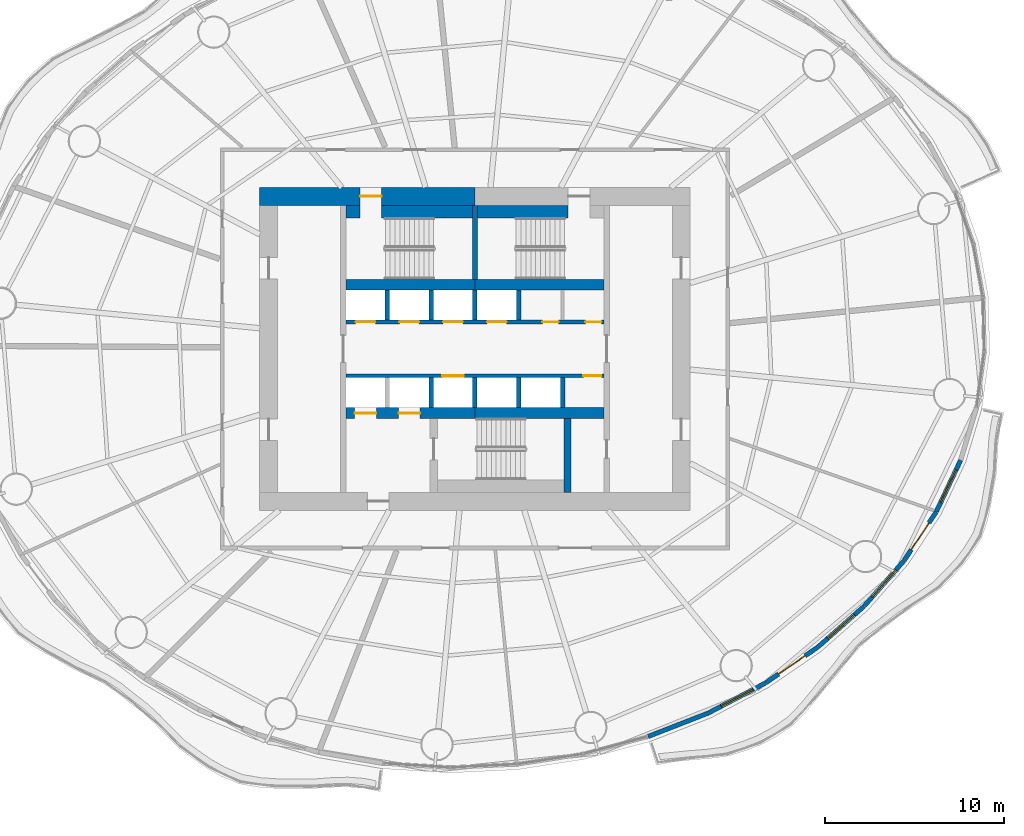
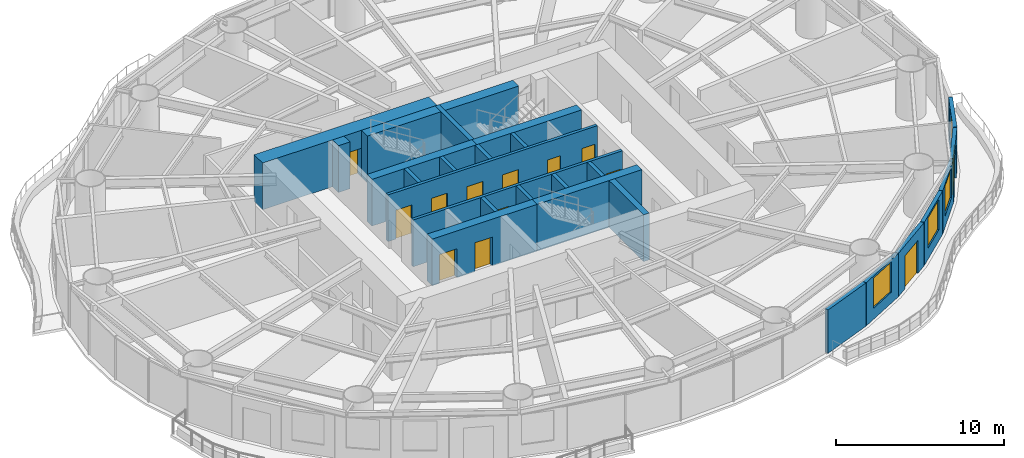
# One storey, part 9 of 16: 27 walls, 13 doors, 4 windows, 17 openings.
"""IFC4 building model written with IfcOpenShell, lengths in metres."""

from ifc_helpers import new_model, si_unit, direction, frame, frame_2d, origin, place, context, subcontext, project, spatial, rectangle, extrude, material, layer, layer_set, type_object, element, fill, save


model = new_model("IFC4")

# Units and contexts
model_context = context("Model", 3, precision=1e-05, world=origin(), true_north=direction((0.0, 1.0)))
body_context = subcontext(model_context, "Body", "Model", "MODEL_VIEW")
ifc_project = project(units=[si_unit("LENGTHUNIT", "METRE"), si_unit("AREAUNIT", "SQUARE_METRE"), si_unit("VOLUMEUNIT", "CUBIC_METRE"), si_unit("PLANEANGLEUNIT", "RADIAN"), si_unit("MASSUNIT", "GRAM", prefix="KILO")], contexts=[model_context])

# Site, building, storey
site_placement = place(None, origin())
site = spatial("IfcSite", under=ifc_project, at=site_placement, CompositionType="ELEMENT")
building_placement = place(site_placement, origin())
building = spatial("IfcBuilding", under=site, at=building_placement, Name="Vermilion Reach Broadcast Tower", CompositionType="ELEMENT")
storey_placement = place(building_placement, frame((0.0, 0.0, 58.199951171875)))
storey = spatial("IfcBuildingStorey", under=building, at=storey_placement, Name="L11", CompositionType="ELEMENT", Elevation=58.199951171875)

# Walls
ifc_material_1 = material(Name="Concrete C70", Category="concrete")
ifc_layer_1 = layer(ifc_material_1, 0.300048828125)
ifc_layer_set_1 = layer_set([ifc_layer_1], Name="Core inner wall 300 mm Concrete C70")
wall_type_1 = type_object("IfcWallType", Name="Core inner wall 300 mm Concrete C70", PredefinedType="SHEAR", material=ifc_layer_set_1)
wall_1_placement = place(storey_placement, frame((-6.0, 3.8798828125, 0.0), z_axis=(0.0, 0.0, 1.0), x_axis=(0.0, 1.0, 0.0)))
element("IfcWall", 1, at=wall_1_placement, inside=storey, type_object=wall_type_1, Name="L11 core wall wc", PredefinedType="SHEAR", context=body_context, shape_type="SweptSolid", body=[
    extrude(rectangle(XDim=4.1201171875, YDim=0.300048828125, at=frame_2d((2.06005859375, 0.0))), origin(), (0.0, 0.0, 1.0), 3.400146484375),
])
ifc_material_2 = material(Name="Concrete C70", Category="concrete")
ifc_layer_2 = layer(ifc_material_2, 0.39990234375)
ifc_layer_set_2 = layer_set([ifc_layer_2], Name="Core inner wall 400 mm Concrete C70")
wall_type_2 = type_object("IfcWallType", Name="Core inner wall 400 mm Concrete C70", PredefinedType="SHEAR", material=ifc_layer_set_2)
wall_2_placement = place(storey_placement, frame((-0.85009765625, -3.8798828125, 0.0), z_axis=(0.0, 0.0, 1.0), x_axis=(0.0, -1.0, 0.0)))
element("IfcWall", 2, at=wall_2_placement, inside=storey, type_object=wall_type_2, Name="L11 core wall wb", PredefinedType="SHEAR", context=body_context, shape_type="SweptSolid", body=[
    extrude(rectangle(XDim=4.1201171875, YDim=0.39990234375, at=frame_2d((2.06005859375, 0.0))), origin(), (0.0, 0.0, 1.0), 3.400146484375),
])
ifc_material_3 = material(Name="Concrete C70", Category="concrete")
ifc_layer_3 = layer(ifc_material_3, 0.60009765625)
ifc_layer_set_3 = layer_set([ifc_layer_3], Name="Core inner wall 600 mm Concrete C70")
wall_type_3 = type_object("IfcWallType", Name="Core inner wall 600 mm Concrete C70", PredefinedType="SHEAR", material=ifc_layer_set_3)
for number, where, z_axis, x_axis, name in (
    (3, (-13.199951171875, 3.580078125, 0.0), (0.0, 0.0, 1.0), (1.0, 0.0, 0.0), "L11 core wall winW"),
    (4, (-6.0, 3.580078125, 0.0), (0.0, 0.0, 1.0), (1.0, 0.0, 0.0), "L11 core wall winE"),
):
    element("IfcWall", number, at=place(storey_placement, frame(where, z_axis=z_axis, x_axis=x_axis)), inside=storey, type_object=wall_type_3, Name=name, PredefinedType="SHEAR", context=body_context, shape_type="SweptSolid", body=[
        extrude(rectangle(XDim=7.199951171875, YDim=0.60009765625, at=frame_2d((3.60009765625, 0.0))), origin(), (0.0, 0.0, 1.0), 3.400146484375),
    ])

# Wall, openings, doors
wall_3_placement = place(storey_placement, frame((-13.199951171875, -3.580078125, 0.0), z_axis=(0.0, 0.0, 1.0), x_axis=(1.0, 0.0, 0.0)))
wall_3 = element("IfcWall", 5, at=wall_3_placement, inside=storey, type_object=wall_type_3, Name="L11 core wall wisW", PredefinedType="SHEAR", context=body_context, shape_type="SweptSolid", body=[
    extrude(rectangle(XDim=7.199951171875, YDim=0.60009765625, at=frame_2d((3.60009765625, 0.0))), origin(), (0.0, 0.0, 1.0), 3.400146484375),
])
opening_1_placement = place(wall_3_placement, frame((0.495849609375, 0.0, 0.0)))
opening_1 = element("IfcOpeningElement", 6, at=opening_1_placement, cuts=wall_3, Name="Opening LD1", PredefinedType="OPENING", context=body_context, shape_type="SweptSolid", body=[
    extrude(rectangle(XDim=1.199951171875, YDim=2.10009765625, at=frame_2d((0.60009765625, 1.050048828125))), frame((0.0, 0.31005859375, 0.0), z_axis=(0.0, -1.0, 0.0), x_axis=(1.0, 0.0, 0.0)), (0.0, 0.0, 1.0), 0.6201171875),
])
opening_2_placement = place(wall_3_placement, frame((2.9375, 0.0, 0.0)))
opening_2 = element("IfcOpeningElement", 7, at=opening_2_placement, cuts=wall_3, Name="Opening LD1", PredefinedType="OPENING", context=body_context, shape_type="SweptSolid", body=[
    extrude(rectangle(XDim=1.199951171875, YDim=2.10009765625, at=frame_2d((0.60009765625, 1.050048828125))), frame((0.0, 0.31005859375, 0.0), z_axis=(0.0, -1.0, 0.0), x_axis=(1.0, 0.0, 0.0)), (0.0, 0.0, 1.0), 0.6201171875),
])
ifc_material_4 = material(Name="Stainless steel", Category="steel")
door_type_1 = type_object("IfcDoorType", Name="Landing door 1200 x 2100", OperationType="DOUBLE_DOOR_SLIDING", PredefinedType="NOTDEFINED", material=ifc_material_4)
door_1_placement = place(opening_1_placement, origin())
door_1 = element("IfcDoor", 8, at=door_1_placement, inside=storey, type_object=door_type_1, Name="L11 landing door FF1", OperationType="DOUBLE_DOOR_SLIDING", OverallHeight=2.10009765625, OverallWidth=1.199951171875, PredefinedType="NOTDEFINED", context=body_context, shape_type="SweptSolid", body=[
    extrude(rectangle(XDim=1.199951171875, YDim=2.10009765625, at=frame_2d((0.60009765625, 1.050048828125))), frame((0.0, 0.02490234375, 0.0), z_axis=(0.0, -1.0, 0.0), x_axis=(1.0, 0.0, 0.0)), (0.0, 0.0, 1.0), 0.050048828125),
])
fill(opening_1, door_1)
door_2_placement = place(opening_2_placement, origin())
door_2 = element("IfcDoor", 9, at=door_2_placement, inside=storey, type_object=door_type_1, Name="L11 landing door FF2", OperationType="DOUBLE_DOOR_SLIDING", OverallHeight=2.10009765625, OverallWidth=1.199951171875, PredefinedType="NOTDEFINED", context=body_context, shape_type="SweptSolid", body=[
    extrude(rectangle(XDim=1.199951171875, YDim=2.10009765625, at=frame_2d((0.60009765625, 1.050048828125))), frame((0.0, 0.02490234375, 0.0), z_axis=(0.0, -1.0, 0.0), x_axis=(1.0, 0.0, 0.0)), (0.0, 0.0, 1.0), 0.050048828125),
])
fill(opening_2, door_2)

# Wall
wall_4_placement = place(storey_placement, frame((-6.0, -3.580078125, 0.0), z_axis=(0.0, 0.0, 1.0), x_axis=(1.0, 0.0, 0.0)))
element("IfcWall", 10, at=wall_4_placement, inside=storey, type_object=wall_type_3, Name="L11 core wall wisE", PredefinedType="SHEAR", context=body_context, shape_type="SweptSolid", body=[
    extrude(rectangle(XDim=7.199951171875, YDim=0.60009765625, at=frame_2d((3.60009765625, 0.0))), origin(), (0.0, 0.0, 1.0), 3.400146484375),
])

# Wall, opening, door
ifc_material_5 = material(Name="Concrete C70", Category="concrete")
ifc_layer_4 = layer(ifc_material_5, 1.0)
ifc_layer_set_4 = layer_set([ifc_layer_4], Name="Core outer wall 1000 mm Concrete C70")
wall_type_4 = type_object("IfcWallType", Name="Core outer wall 1000 mm Concrete C70", PredefinedType="SHEAR", material=ifc_layer_set_4)
wall_5_placement = place(storey_placement, frame((-6.0, 8.5, 0.0), z_axis=(0.0, 0.0, 1.0), x_axis=(-1.0, 0.0, 0.0)))
wall_5 = element("IfcWall", 11, at=wall_5_placement, inside=storey, type_object=wall_type_4, Name="L11 core wall onW", PredefinedType="SHEAR", context=body_context, shape_type="SweptSolid", body=[
    extrude(rectangle(XDim=12.0, YDim=1.0, at=frame_2d((6.0, 0.0))), origin(), (0.0, 0.0, 1.0), 3.400146484375),
])
opening_3_placement = place(wall_5_placement, frame((5.199951171875, 0.0, 0.0)))
opening_3 = element("IfcOpeningElement", 12, at=opening_3_placement, cuts=wall_5, Name="Opening D01", PredefinedType="OPENING", context=body_context, shape_type="SweptSolid", body=[
    extrude(rectangle(XDim=1.199951171875, YDim=2.10009765625, at=frame_2d((0.60009765625, 1.050048828125))), frame((0.0, 0.510009765625, 0.0), z_axis=(0.0, -1.0, 0.0), x_axis=(1.0, 0.0, 0.0)), (0.0, 0.0, 1.0), 1.02001953125),
])
ifc_material_6 = material(Name="Painted steel fire door", Category="steel")
door_type_2 = type_object("IfcDoorType", Name="Stair door 1200 x 2100", OperationType="DOUBLE_DOOR_SINGLE_SWING", PredefinedType="NOTDEFINED", material=ifc_material_6)
door_3_placement = place(opening_3_placement, origin())
door_3 = element("IfcDoor", 13, at=door_3_placement, inside=storey, type_object=door_type_2, Name="L11 stair door ST1", OperationType="DOUBLE_DOOR_SINGLE_SWING", OverallHeight=2.10009765625, OverallWidth=1.199951171875, PredefinedType="NOTDEFINED", context=body_context, shape_type="SweptSolid", body=[
    extrude(rectangle(XDim=1.199951171875, YDim=2.10009765625, at=frame_2d((0.60009765625, 1.050048828125))), frame((0.0, 0.02490234375, 0.0), z_axis=(0.0, -1.0, 0.0), x_axis=(1.0, 0.0, 0.0)), (0.0, 0.0, 1.0), 0.050048828125),
])
fill(opening_3, door_3)

# Wall, openings, doors
ifc_material_7 = material(Name="Concrete C50", Category="concrete")
ifc_layer_5 = layer(ifc_material_7, 0.199951171875)
ifc_layer_set_5 = layer_set([ifc_layer_5], Name="Core shaft wall 200 mm Concrete C50")
wall_type_5 = type_object("IfcWallType", Name="Core shaft wall 200 mm Concrete C50", PredefinedType="SHEAR", material=ifc_layer_set_5)
wall_6_placement = place(storey_placement, frame((-13.199951171875, 1.5, 0.0), z_axis=(0.0, 0.0, 1.0), x_axis=(1.0, 0.0, 0.0)))
wall_6 = element("IfcWall", 14, at=wall_6_placement, inside=storey, type_object=wall_type_5, Name="L11 core wall fn", PredefinedType="SHEAR", context=body_context, shape_type="SweptSolid", body=[
    extrude(rectangle(XDim=14.39990234375, YDim=0.199951171875, at=frame_2d((7.199951171875, 0.0))), origin(), (0.0, 0.0, 1.0), 3.400146484375),
])
opening_4_placement = place(wall_6_placement, frame((0.5458984375, 0.0, 0.0)))
opening_4 = element("IfcOpeningElement", 15, at=opening_4_placement, cuts=wall_6, Name="Opening LD2", PredefinedType="OPENING", context=body_context, shape_type="SweptSolid", body=[
    extrude(rectangle(XDim=1.10009765625, YDim=2.10009765625, at=frame_2d((0.550048828125, 1.050048828125))), frame((0.0, 0.10986328125, 0.0), z_axis=(0.0, -1.0, 0.0), x_axis=(1.0, 0.0, 0.0)), (0.0, 0.0, 1.0), 0.219970703125),
])
opening_5_placement = place(wall_6_placement, frame((2.987548828125, 0.0, 0.0)))
opening_5 = element("IfcOpeningElement", 16, at=opening_5_placement, cuts=wall_6, Name="Opening LD2", PredefinedType="OPENING", context=body_context, shape_type="SweptSolid", body=[
    extrude(rectangle(XDim=1.10009765625, YDim=2.10009765625, at=frame_2d((0.550048828125, 1.050048828125))), frame((0.0, 0.10986328125, 0.0), z_axis=(0.0, -1.0, 0.0), x_axis=(1.0, 0.0, 0.0)), (0.0, 0.0, 1.0), 0.219970703125),
])
opening_6_placement = place(wall_6_placement, frame((5.42919921875, 0.0, 0.0)))
opening_6 = element("IfcOpeningElement", 17, at=opening_6_placement, cuts=wall_6, Name="Opening LD2", PredefinedType="OPENING", context=body_context, shape_type="SweptSolid", body=[
    extrude(rectangle(XDim=1.10009765625, YDim=2.10009765625, at=frame_2d((0.550048828125, 1.050048828125))), frame((0.0, 0.10986328125, 0.0), z_axis=(0.0, -1.0, 0.0), x_axis=(1.0, 0.0, 0.0)), (0.0, 0.0, 1.0), 0.219970703125),
])
opening_7_placement = place(wall_6_placement, frame((7.870849609375, 0.0, 0.0)))
opening_7 = element("IfcOpeningElement", 18, at=opening_7_placement, cuts=wall_6, Name="Opening LD2", PredefinedType="OPENING", context=body_context, shape_type="SweptSolid", body=[
    extrude(rectangle(XDim=1.10009765625, YDim=2.10009765625, at=frame_2d((0.550048828125, 1.050048828125))), frame((0.0, 0.10986328125, 0.0), z_axis=(0.0, -1.0, 0.0), x_axis=(1.0, 0.0, 0.0)), (0.0, 0.0, 1.0), 0.219970703125),
])
opening_8_placement = place(wall_6_placement, frame((10.958251953125, 0.0, 0.0)))
opening_8 = element("IfcOpeningElement", 19, at=opening_8_placement, cuts=wall_6, Name="Opening D06", PredefinedType="OPENING", context=body_context, shape_type="SweptSolid", body=[
    extrude(rectangle(XDim=0.89990234375, YDim=2.10009765625, at=frame_2d((0.449951171875, 1.050048828125))), frame((0.0, 0.10986328125, 0.0), z_axis=(0.0, -1.0, 0.0), x_axis=(1.0, 0.0, 0.0)), (0.0, 0.0, 1.0), 0.219970703125),
])
opening_9_placement = place(wall_6_placement, frame((13.35009765625, 0.0, 0.0)))
opening_9 = element("IfcOpeningElement", 20, at=opening_9_placement, cuts=wall_6, Name="Opening D06", PredefinedType="OPENING", context=body_context, shape_type="SweptSolid", body=[
    extrude(rectangle(XDim=0.89990234375, YDim=2.10009765625, at=frame_2d((0.449951171875, 1.050048828125))), frame((0.0, 0.10986328125, 0.0), z_axis=(0.0, -1.0, 0.0), x_axis=(1.0, 0.0, 0.0)), (0.0, 0.0, 1.0), 0.219970703125),
])
ifc_material_8 = material(Name="Stainless steel", Category="steel")
door_type_3 = type_object("IfcDoorType", Name="Landing door 1100 x 2100", OperationType="DOUBLE_DOOR_SLIDING", PredefinedType="NOTDEFINED", material=ifc_material_8)
door_4_placement = place(opening_4_placement, origin())
door_4 = element("IfcDoor", 21, at=door_4_placement, inside=storey, type_object=door_type_3, Name="L11 landing door LR1", OperationType="DOUBLE_DOOR_SLIDING", OverallHeight=2.10009765625, OverallWidth=1.10009765625, PredefinedType="NOTDEFINED", context=body_context, shape_type="SweptSolid", body=[
    extrude(rectangle(XDim=1.10009765625, YDim=2.10009765625, at=frame_2d((0.550048828125, 1.050048828125))), frame((0.0, 0.02490234375, 0.0), z_axis=(0.0, -1.0, 0.0), x_axis=(1.0, 0.0, 0.0)), (0.0, 0.0, 1.0), 0.050048828125),
])
fill(opening_4, door_4)
door_5_placement = place(opening_5_placement, origin())
door_5 = element("IfcDoor", 22, at=door_5_placement, inside=storey, type_object=door_type_3, Name="L11 landing door LR2", OperationType="DOUBLE_DOOR_SLIDING", OverallHeight=2.10009765625, OverallWidth=1.10009765625, PredefinedType="NOTDEFINED", context=body_context, shape_type="SweptSolid", body=[
    extrude(rectangle(XDim=1.10009765625, YDim=2.10009765625, at=frame_2d((0.550048828125, 1.050048828125))), frame((0.0, 0.02490234375, 0.0), z_axis=(0.0, -1.0, 0.0), x_axis=(1.0, 0.0, 0.0)), (0.0, 0.0, 1.0), 0.050048828125),
])
fill(opening_5, door_5)
door_6_placement = place(opening_6_placement, origin())
door_6 = element("IfcDoor", 23, at=door_6_placement, inside=storey, type_object=door_type_3, Name="L11 landing door LR3", OperationType="DOUBLE_DOOR_SLIDING", OverallHeight=2.10009765625, OverallWidth=1.10009765625, PredefinedType="NOTDEFINED", context=body_context, shape_type="SweptSolid", body=[
    extrude(rectangle(XDim=1.10009765625, YDim=2.10009765625, at=frame_2d((0.550048828125, 1.050048828125))), frame((0.0, 0.02490234375, 0.0), z_axis=(0.0, -1.0, 0.0), x_axis=(1.0, 0.0, 0.0)), (0.0, 0.0, 1.0), 0.050048828125),
])
fill(opening_6, door_6)
door_7_placement = place(opening_7_placement, origin())
door_7 = element("IfcDoor", 24, at=door_7_placement, inside=storey, type_object=door_type_3, Name="L11 landing door LR4", OperationType="DOUBLE_DOOR_SLIDING", OverallHeight=2.10009765625, OverallWidth=1.10009765625, PredefinedType="NOTDEFINED", context=body_context, shape_type="SweptSolid", body=[
    extrude(rectangle(XDim=1.10009765625, YDim=2.10009765625, at=frame_2d((0.550048828125, 1.050048828125))), frame((0.0, 0.02490234375, 0.0), z_axis=(0.0, -1.0, 0.0), x_axis=(1.0, 0.0, 0.0)), (0.0, 0.0, 1.0), 0.050048828125),
])
fill(opening_7, door_7)
ifc_material_9 = material(Name="Timber door", Category="wood")
door_type_4 = type_object("IfcDoorType", Name="WC door 900 x 2100", OperationType="NOTDEFINED", PredefinedType="NOTDEFINED", material=ifc_material_9)
door_8_placement = place(opening_8_placement, origin())
door_8 = element("IfcDoor", 25, at=door_8_placement, inside=storey, type_object=door_type_4, Name="L11 door Female WC", OperationType="SINGLE_SWING_RIGHT", OverallHeight=2.10009765625, OverallWidth=0.89990234375, PredefinedType="NOTDEFINED", context=body_context, shape_type="SweptSolid", body=[
    extrude(rectangle(XDim=0.89990234375, YDim=2.10009765625, at=frame_2d((0.449951171875, 1.050048828125))), frame((0.0, 0.02490234375, 0.0), z_axis=(0.0, -1.0, 0.0), x_axis=(1.0, 0.0, 0.0)), (0.0, 0.0, 1.0), 0.050048828125),
])
fill(opening_8, door_8)
door_9_placement = place(opening_9_placement, origin())
door_9 = element("IfcDoor", 26, at=door_9_placement, inside=storey, type_object=door_type_4, Name="L11 door Male WC", OperationType="SINGLE_SWING_RIGHT", OverallHeight=2.10009765625, OverallWidth=0.89990234375, PredefinedType="NOTDEFINED", context=body_context, shape_type="SweptSolid", body=[
    extrude(rectangle(XDim=0.89990234375, YDim=2.10009765625, at=frame_2d((0.449951171875, 1.050048828125))), frame((0.0, 0.02490234375, 0.0), z_axis=(0.0, -1.0, 0.0), x_axis=(1.0, 0.0, 0.0)), (0.0, 0.0, 1.0), 0.050048828125),
])
fill(opening_9, door_9)

wall_7_placement = place(storey_placement, frame((1.199951171875, -1.5, 0.0), z_axis=(0.0, 0.0, 1.0), x_axis=(-1.0, 0.0, 0.0)))
wall_7 = element("IfcWall", 27, at=wall_7_placement, inside=storey, type_object=wall_type_5, Name="L11 core wall fs", PredefinedType="SHEAR", context=body_context, shape_type="SweptSolid", body=[
    extrude(rectangle(XDim=14.39990234375, YDim=0.199951171875, at=frame_2d((7.199951171875, 0.0))), origin(), (0.0, 0.0, 1.0), 3.400146484375),
])
opening_10_placement = place(wall_7_placement, frame((7.82080078125, 0.0, 0.0)))
opening_10 = element("IfcOpeningElement", 28, at=opening_10_placement, cuts=wall_7, Name="Opening LD1", PredefinedType="OPENING", context=body_context, shape_type="SweptSolid", body=[
    extrude(rectangle(XDim=1.199951171875, YDim=2.10009765625, at=frame_2d((0.60009765625, 1.050048828125))), frame((0.0, 0.10986328125, 0.0), z_axis=(0.0, -1.0, 0.0), x_axis=(1.0, 0.0, 0.0)), (0.0, 0.0, 1.0), 0.219970703125),
])
opening_11_placement = place(wall_7_placement, frame((0.14990234375, 0.0, 0.0)))
opening_11 = element("IfcOpeningElement", 29, at=opening_11_placement, cuts=wall_7, Name="Opening D07", PredefinedType="OPENING", context=body_context, shape_type="SweptSolid", body=[
    extrude(rectangle(XDim=1.0, YDim=2.10009765625, at=frame_2d((0.5, 1.050048828125))), frame((0.0, 0.10986328125, 0.0), z_axis=(0.0, -1.0, 0.0), x_axis=(1.0, 0.0, 0.0)), (0.0, 0.0, 1.0), 0.219970703125),
])
ifc_material_10 = material(Name="Timber door", Category="wood")
door_type_5 = type_object("IfcDoorType", Name="Accessible WC door 1000 x 2100", OperationType="NOTDEFINED", PredefinedType="NOTDEFINED", material=ifc_material_10)
door_10_placement = place(opening_11_placement, origin())
door_10 = element("IfcDoor", 30, at=door_10_placement, inside=storey, type_object=door_type_5, Name="L11 door Accessible WC", OperationType="SINGLE_SWING_LEFT", OverallHeight=2.10009765625, OverallWidth=1.0, PredefinedType="NOTDEFINED", context=body_context, shape_type="SweptSolid", body=[
    extrude(rectangle(XDim=1.0, YDim=2.10009765625, at=frame_2d((0.5, 1.050048828125))), frame((0.0, 0.02490234375, 0.0), z_axis=(0.0, -1.0, 0.0), x_axis=(1.0, 0.0, 0.0)), (0.0, 0.0, 1.0), 0.050048828125),
])
fill(opening_11, door_10)
door_11_placement = place(opening_10_placement, origin())
door_11 = element("IfcDoor", 31, at=door_11_placement, inside=storey, type_object=door_type_1, Name="L11 landing door SV1", OperationType="DOUBLE_DOOR_SLIDING", OverallHeight=2.10009765625, OverallWidth=1.199951171875, PredefinedType="NOTDEFINED", context=body_context, shape_type="SweptSolid", body=[
    extrude(rectangle(XDim=1.199951171875, YDim=2.10009765625, at=frame_2d((0.60009765625, 1.050048828125))), frame((0.0, 0.02490234375, 0.0), z_axis=(0.0, -1.0, 0.0), x_axis=(1.0, 0.0, 0.0)), (0.0, 0.0, 1.0), 0.050048828125),
])
fill(opening_10, door_11)

# Walls
ifc_material_11 = material(Name="Concrete C50", Category="concrete")
ifc_layer_6 = layer(ifc_material_11, 0.25)
ifc_layer_set_6 = layer_set([ifc_layer_6], Name="Core shaft wall 250 mm Concrete C50")
wall_type_6 = type_object("IfcWallType", Name="Core shaft wall 250 mm Concrete C50", PredefinedType="SHEAR", material=ifc_layer_set_6)
for number, where, z_axis, x_axis, name in (
    (32, (-10.88330078125, 1.60009765625, 0.0), (0.0, 0.0, 1.0), (0.0, 1.0, 0.0), "L11 core wall psN0"),
    (33, (-8.441650390625, 1.60009765625, 0.0), (0.0, 0.0, 1.0), (0.0, 1.0, 0.0), "L11 core wall psN1"),
    (34, (-6.0, 1.60009765625, 0.0), (0.0, 0.0, 1.0), (0.0, 1.0, 0.0), "L11 core wall psN2"),
    (35, (-3.558349609375, 1.60009765625, 0.0), (0.0, 0.0, 1.0), (0.0, 1.0, 0.0), "L11 core wall psN3"),
    (36, (-8.441650390625, -1.60009765625, 0.0), (0.0, 0.0, 1.0), (0.0, -1.0, 0.0), "L11 core wall psS1"),
    (37, (-6.0, -1.60009765625, 0.0), (0.0, 0.0, 1.0), (0.0, -1.0, 0.0), "L11 core wall psS2"),
    (38, (-3.558349609375, -1.60009765625, 0.0), (0.0, 0.0, 1.0), (0.0, -1.0, 0.0), "L11 core wall psS3"),
    (39, (-1.11669921875, -1.60009765625, 0.0), (0.0, 0.0, 1.0), (0.0, -1.0, 0.0), "L11 core wall psS4"),
):
    element("IfcWall", number, at=place(storey_placement, frame(where, z_axis=z_axis, x_axis=x_axis)), inside=storey, type_object=wall_type_6, Name=name, PredefinedType="SHEAR", context=body_context, shape_type="SweptSolid", body=[
        extrude(rectangle(XDim=1.679931640625, YDim=0.25, at=frame_2d((0.83984375, 0.0))), origin(), (0.0, 0.0, 1.0), 3.400146484375),
    ])
ifc_material_12 = material(Name="Concrete C70", Category="concrete")
ifc_layer_7 = layer(ifc_material_12, 0.699951171875)
ifc_layer_set_7 = layer_set([ifc_layer_7], Name="Core stair wall 700 mm Concrete C70")
wall_type_7 = type_object("IfcWallType", Name="Core stair wall 700 mm Concrete C70", PredefinedType="SHEAR", material=ifc_layer_set_7)
wall_8_placement = place(storey_placement, frame((-13.199951171875, 7.64990234375, 0.0), z_axis=(0.0, 0.0, 1.0), x_axis=(1.0, 0.0, 0.0)))
element("IfcWall", 40, at=wall_8_placement, inside=storey, type_object=wall_type_7, Name="L11 core wall l1a", PredefinedType="SHEAR", context=body_context, shape_type="SweptSolid", body=[
    extrude(rectangle(XDim=0.800048828125, YDim=0.699951171875, at=frame_2d((0.39990234375, 0.0))), origin(), (0.0, 0.0, 1.0), 3.400146484375),
])
for number, where, z_axis, x_axis, name in (
    (41, (-11.199951171875, 7.64990234375, 0.0), (0.0, 0.0, 1.0), (1.0, 0.0, 0.0), "L11 core wall l1b"),
    (42, (-5.85009765625, 7.64990234375, 0.0), (0.0, 0.0, 1.0), (1.0, 0.0, 0.0), "L11 core wall l2a"),
):
    element("IfcWall", number, at=place(storey_placement, frame(where, z_axis=z_axis, x_axis=x_axis)), inside=storey, type_object=wall_type_7, Name=name, PredefinedType="SHEAR", context=body_context, shape_type="SweptSolid", body=[
        extrude(rectangle(XDim=5.050048828125, YDim=0.699951171875, at=frame_2d((2.52490234375, 0.0))), origin(), (0.0, 0.0, 1.0), 3.400146484375),
    ])
ifc_material_13 = material(Name="Terracotta rainscreen cladding", Category="masonry")
ifc_layer_8 = layer(ifc_material_13, 0.25)
ifc_layer_set_8 = layer_set([ifc_layer_8], Name="Terracotta rainscreen wall 250")
wall_type_8 = type_object("IfcWallType", Name="Terracotta rainscreen wall 250", PredefinedType="SOLIDWALL", material=ifc_layer_set_8)
wall_9_placement = place(storey_placement, frame((3.655029296875, -21.61181640625, 0.0), z_axis=(0.0, 0.0, 1.0), x_axis=(0.931645373633, 0.363368817853, 0.0)))
element("IfcWall", 43, at=wall_9_placement, inside=storey, type_object=wall_type_8, Name="External wall L11 38", PredefinedType="SOLIDWALL", context=body_context, shape_type="SweptSolid", body=[
    extrude(rectangle(XDim=3.6005859375, YDim=0.25, at=frame_2d((1.80029296875, 0.0))), origin(), (0.0, 0.0, 1.0), 3.150146484375),
])

# Wall, opening, window
wall_10_placement = place(storey_placement, frame((7.02978515625, -20.29443359375, 0.0), z_axis=(0.0, 0.0, 1.0), x_axis=(0.884873899138, 0.465830637274, 0.0)))
wall_10 = element("IfcWall", 44, at=wall_10_placement, inside=storey, type_object=wall_type_8, Name="External wall L11 39", PredefinedType="SOLIDWALL", context=body_context, shape_type="SweptSolid", body=[
    extrude(rectangle(XDim=3.584716796875, YDim=0.25, at=frame_2d((1.79248046875, 0.0))), origin(), (0.0, 0.0, 1.0), 3.150146484375),
])
opening_12_placement = place(wall_10_placement, frame((0.79248046875, 0.0, 0.800048828125)))
opening_12 = element("IfcOpeningElement", 45, at=opening_12_placement, cuts=wall_10, Name="Opening W01", PredefinedType="OPENING", context=body_context, shape_type="SweptSolid", body=[
    extrude(rectangle(XDim=2.0, YDim=2.199951171875, at=frame_2d((1.0, 1.10009765625))), frame((0.0, 0.135009765625, 0.0), z_axis=(0.0, -1.0, 0.0), x_axis=(1.0, 0.0, 0.0)), (0.0, 0.0, 1.0), 0.27001953125),
])
ifc_material_14 = material(Name="Low-e laminated clear glass in aluminium frame", Category="aluminium")
window_type = type_object("IfcWindowType", Name="Punched window 2000 x 2200 sill 800", PartitioningType="SINGLE_PANEL", PredefinedType="WINDOW", material=ifc_material_14)
window_1_placement = place(opening_12_placement, origin())
window_1 = element("IfcWindow", 46, at=window_1_placement, inside=storey, type_object=window_type, Name="Window L11 39", OverallHeight=2.199951171875, OverallWidth=2.0, PartitioningType="SINGLE_PANEL", PredefinedType="WINDOW", context=body_context, shape_type="SweptSolid", body=[
    extrude(rectangle(XDim=2.0, YDim=2.199951171875, at=frame_2d((1.0, 1.10009765625))), frame((0.0, 0.030029296875, 0.0), z_axis=(0.0, -1.0, 0.0), x_axis=(1.0, 0.0, 0.0)), (0.0, 0.0, 1.0), 0.06005859375),
])
fill(opening_12, window_1)

# Wall, opening, door
wall_11_placement = place(storey_placement, frame((10.22119140625, -18.61279296875, 0.0), z_axis=(0.0, 0.0, 1.0), x_axis=(0.824494262273, 0.565870313304, 0.0)))
wall_11 = element("IfcWall", 47, at=wall_11_placement, inside=storey, type_object=wall_type_8, Name="External wall L11 40", PredefinedType="SOLIDWALL", context=body_context, shape_type="SweptSolid", body=[
    extrude(rectangle(XDim=3.509765625, YDim=0.25, at=frame_2d((1.7548828125, 0.0))), origin(), (0.0, 0.0, 1.0), 3.150146484375),
])
opening_13_placement = place(wall_11_placement, frame((0.85498046875, 0.0, 0.0)))
opening_13 = element("IfcOpeningElement", 48, at=opening_13_placement, cuts=wall_11, Name="Opening D70", PredefinedType="OPENING", context=body_context, shape_type="SweptSolid", body=[
    extrude(rectangle(XDim=1.800048828125, YDim=2.39990234375, at=frame_2d((0.89990234375, 1.199951171875))), frame((0.0, 0.135009765625, 0.0), z_axis=(0.0, -1.0, 0.0), x_axis=(1.0, 0.0, 0.0)), (0.0, 0.0, 1.0), 0.27001953125),
])
ifc_material_15 = material(Name="Low-e laminated clear glass in aluminium frame", Category="aluminium")
door_type_6 = type_object("IfcDoorType", Name="Balcony sliding door 1800 x 2400", OperationType="DOUBLE_DOOR_SLIDING", PredefinedType="DOOR", material=ifc_material_15)
door_12_placement = place(opening_13_placement, origin())
door_12 = element("IfcDoor", 49, at=door_12_placement, inside=storey, type_object=door_type_6, Name="Balcony door L11 run 10", OperationType="DOUBLE_DOOR_SLIDING", OverallHeight=2.39990234375, OverallWidth=1.800048828125, PredefinedType="DOOR", context=body_context, shape_type="SweptSolid", body=[
    extrude(rectangle(XDim=1.800048828125, YDim=2.39990234375, at=frame_2d((0.89990234375, 1.199951171875))), frame((0.0, 0.02490234375, 0.0), z_axis=(0.0, -1.0, 0.0), x_axis=(1.0, 0.0, 0.0)), (0.0, 0.0, 1.0), 0.050048828125),
])
fill(opening_13, door_12)

# Wall, opening, window
wall_12_placement = place(storey_placement, frame((13.13330078125, -16.612548828125, 0.0), z_axis=(0.0, 0.0, 1.0), x_axis=(0.749392432233, 0.662126107711, 0.0)))
wall_12 = element("IfcWall", 50, at=wall_12_placement, inside=storey, type_object=wall_type_8, Name="External wall L11 41", PredefinedType="SOLIDWALL", context=body_context, shape_type="SweptSolid", body=[
    extrude(rectangle(XDim=3.42431640625, YDim=0.25, at=frame_2d((1.712158203125, 0.0))), origin(), (0.0, 0.0, 1.0), 3.150146484375),
])
opening_14_placement = place(wall_12_placement, frame((0.712158203125, 0.0, 0.800048828125)))
opening_14 = element("IfcOpeningElement", 51, at=opening_14_placement, cuts=wall_12, Name="Opening W01", PredefinedType="OPENING", context=body_context, shape_type="SweptSolid", body=[
    extrude(rectangle(XDim=2.0, YDim=2.199951171875, at=frame_2d((1.0, 1.10009765625))), frame((0.0, 0.135009765625, 0.0), z_axis=(0.0, -1.0, 0.0), x_axis=(1.0, 0.0, 0.0)), (0.0, 0.0, 1.0), 0.27001953125),
])
window_2_placement = place(opening_14_placement, origin())
window_2 = element("IfcWindow", 52, at=window_2_placement, inside=storey, type_object=window_type, Name="Window L11 41", OverallHeight=2.199951171875, OverallWidth=2.0, PartitioningType="SINGLE_PANEL", PredefinedType="WINDOW", context=body_context, shape_type="SweptSolid", body=[
    extrude(rectangle(XDim=2.0, YDim=2.199951171875, at=frame_2d((1.0, 1.10009765625))), frame((0.0, 0.030029296875, 0.0), z_axis=(0.0, -1.0, 0.0), x_axis=(1.0, 0.0, 0.0)), (0.0, 0.0, 1.0), 0.06005859375),
])
fill(opening_14, window_2)

wall_13_placement = place(storey_placement, frame((15.71630859375, -14.328369140625, 0.0), z_axis=(0.0, 0.0, 1.0), x_axis=(0.65843719002, 0.752635679993, 0.0)))
wall_13 = element("IfcWall", 53, at=wall_13_placement, inside=storey, type_object=wall_type_8, Name="External wall L11 42", PredefinedType="SOLIDWALL", context=body_context, shape_type="SweptSolid", body=[
    extrude(rectangle(XDim=3.3330078125, YDim=0.25, at=frame_2d((1.66650390625, 0.0))), origin(), (0.0, 0.0, 1.0), 3.150146484375),
])
opening_15_placement = place(wall_13_placement, frame((0.66650390625, 0.0, 0.800048828125)))
opening_15 = element("IfcOpeningElement", 54, at=opening_15_placement, cuts=wall_13, Name="Opening W01", PredefinedType="OPENING", context=body_context, shape_type="SweptSolid", body=[
    extrude(rectangle(XDim=2.0, YDim=2.199951171875, at=frame_2d((1.0, 1.10009765625))), frame((0.0, 0.135009765625, 0.0), z_axis=(0.0, -1.0, 0.0), x_axis=(1.0, 0.0, 0.0)), (0.0, 0.0, 1.0), 0.27001953125),
])
window_3_placement = place(opening_15_placement, origin())
window_3 = element("IfcWindow", 55, at=window_3_placement, inside=storey, type_object=window_type, Name="Window L11 42", OverallHeight=2.199951171875, OverallWidth=2.0, PartitioningType="SINGLE_PANEL", PredefinedType="WINDOW", context=body_context, shape_type="SweptSolid", body=[
    extrude(rectangle(XDim=2.0, YDim=2.199951171875, at=frame_2d((1.0, 1.10009765625))), frame((0.0, 0.030029296875, 0.0), z_axis=(0.0, -1.0, 0.0), x_axis=(1.0, 0.0, 0.0)), (0.0, 0.0, 1.0), 0.06005859375),
])
fill(opening_15, window_3)

# Wall, opening, door
wall_14_placement = place(storey_placement, frame((17.926025390625, -11.800048828125, 0.0), z_axis=(0.0, 0.0, 1.0), x_axis=(0.550976461362, 0.834520784058, 0.0)))
wall_14 = element("IfcWall", 56, at=wall_14_placement, inside=storey, type_object=wall_type_8, Name="External wall L11 43", PredefinedType="SOLIDWALL", context=body_context, shape_type="SweptSolid", body=[
    extrude(rectangle(XDim=3.24267578125, YDim=0.25, at=frame_2d((1.621337890625, 0.0))), origin(), (0.0, 0.0, 1.0), 3.150146484375),
])
opening_16_placement = place(wall_14_placement, frame((0.720947265625, 0.0, 0.0)))
opening_16 = element("IfcOpeningElement", 57, at=opening_16_placement, cuts=wall_14, Name="Opening D70", PredefinedType="OPENING", context=body_context, shape_type="SweptSolid", body=[
    extrude(rectangle(XDim=1.800048828125, YDim=2.39990234375, at=frame_2d((0.89990234375, 1.199951171875))), frame((0.0, 0.135009765625, 0.0), z_axis=(0.0, -1.0, 0.0), x_axis=(1.0, 0.0, 0.0)), (0.0, 0.0, 1.0), 0.27001953125),
])
door_13_placement = place(opening_16_placement, origin())
door_13 = element("IfcDoor", 58, at=door_13_placement, inside=storey, type_object=door_type_6, Name="Balcony door L11 run 11", OperationType="DOUBLE_DOOR_SLIDING", OverallHeight=2.39990234375, OverallWidth=1.800048828125, PredefinedType="DOOR", context=body_context, shape_type="SweptSolid", body=[
    extrude(rectangle(XDim=1.800048828125, YDim=2.39990234375, at=frame_2d((0.89990234375, 1.199951171875))), frame((0.0, 0.02490234375, 0.0), z_axis=(0.0, -1.0, 0.0), x_axis=(1.0, 0.0, 0.0)), (0.0, 0.0, 1.0), 0.050048828125),
])
fill(opening_16, door_13)

# Wall, opening, window
wall_15_placement = place(storey_placement, frame((19.725341796875, -9.071533203125, 0.0), z_axis=(0.0, 0.0, 1.0), x_axis=(0.427069496555, 0.904218803781, 0.0)))
wall_15 = element("IfcWall", 59, at=wall_15_placement, inside=storey, type_object=wall_type_8, Name="External wall L11 44", PredefinedType="SOLIDWALL", context=body_context, shape_type="SweptSolid", body=[
    extrude(rectangle(XDim=3.158935546875, YDim=0.25, at=frame_2d((1.57958984375, 0.0))), origin(), (0.0, 0.0, 1.0), 3.150146484375),
])
opening_17_placement = place(wall_15_placement, frame((0.57958984375, 0.0, 0.800048828125)))
opening_17 = element("IfcOpeningElement", 60, at=opening_17_placement, cuts=wall_15, Name="Opening W01", PredefinedType="OPENING", context=body_context, shape_type="SweptSolid", body=[
    extrude(rectangle(XDim=2.0, YDim=2.199951171875, at=frame_2d((1.0, 1.10009765625))), frame((0.0, 0.135009765625, 0.0), z_axis=(0.0, -1.0, 0.0), x_axis=(1.0, 0.0, 0.0)), (0.0, 0.0, 1.0), 0.27001953125),
])
window_4_placement = place(opening_17_placement, origin())
window_4 = element("IfcWindow", 61, at=window_4_placement, inside=storey, type_object=window_type, Name="Window L11 44", OverallHeight=2.199951171875, OverallWidth=2.0, PartitioningType="SINGLE_PANEL", PredefinedType="WINDOW", context=body_context, shape_type="SweptSolid", body=[
    extrude(rectangle(XDim=2.0, YDim=2.199951171875, at=frame_2d((1.0, 1.10009765625))), frame((0.0, 0.030029296875, 0.0), z_axis=(0.0, -1.0, 0.0), x_axis=(1.0, 0.0, 0.0)), (0.0, 0.0, 1.0), 0.06005859375),
])
fill(opening_17, window_4)

save(model, "model.ifc")
